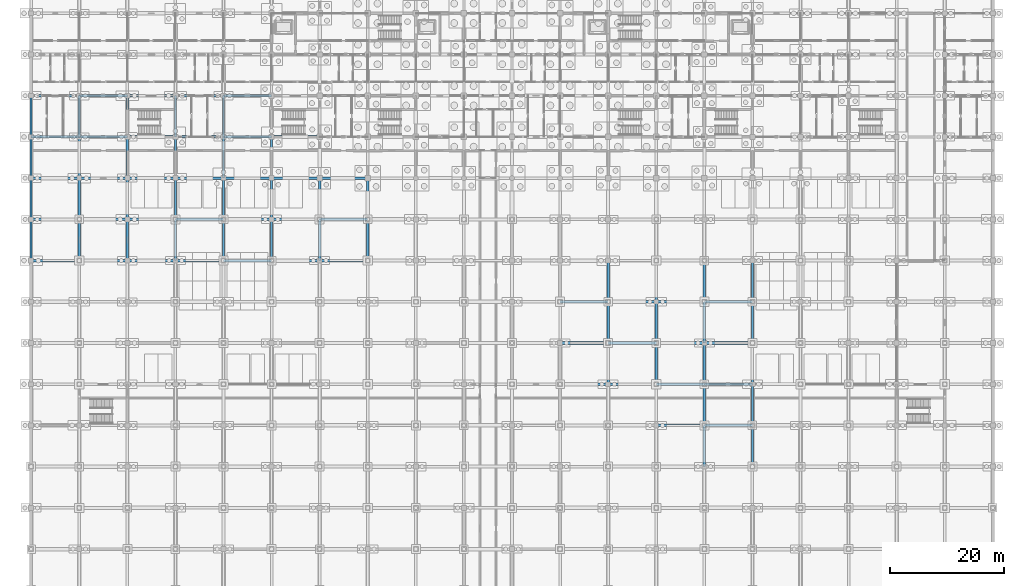
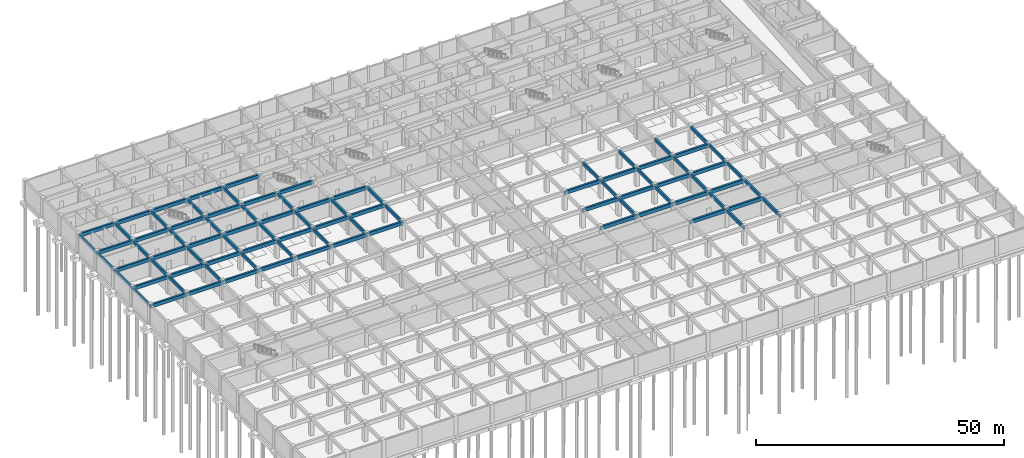
# One storey, part 21 of 85: 89 beams.
"""IFC4 building model written with IfcOpenShell, lengths in metres."""

from ifc_helpers import new_model, si_unit, direction, frame, origin, origin_2d, place, context, subcontext, project, spatial, rectangle, extrude, material, material_profile, profile_set, type_object, element, save


model = new_model("IFC4")

# Units and contexts
model_context = context("Model", 3, precision=1e-05, world=origin(), true_north=direction((0.0, 1.0)))
body_context = subcontext(model_context, "Body", "Model", "MODEL_VIEW")
ifc_project = project(units=[si_unit("LENGTHUNIT", "METRE"), si_unit("AREAUNIT", "SQUARE_METRE"), si_unit("VOLUMEUNIT", "CUBIC_METRE"), si_unit("PLANEANGLEUNIT", "RADIAN"), si_unit("MASSUNIT", "GRAM", prefix="KILO")], contexts=[model_context])

# Site, building, storey
site_placement = place(None, origin())
site = spatial("IfcSite", under=ifc_project, at=site_placement, CompositionType="ELEMENT")
building_placement = place(site_placement, origin())
building = spatial("IfcBuilding", under=site, at=building_placement, Name="Chengyuan Square Courthouse", CompositionType="ELEMENT")
storey_placement = place(building_placement, frame((0.0, 0.0, -10.199951171875)))
storey = spatial("IfcBuildingStorey", under=building, at=storey_placement, Name="B02", CompositionType="ELEMENT", Elevation=-10.199951171875)

# Beams
ifc_material = material(Name="Concrete C40", Category="concrete")
ifc_material_profile_1 = material_profile(ifc_material, rectangle(XDim=0.449951171875, YDim=0.85009765625, at=origin_2d()), Name="RC-BM-450x850")
ifc_profile_set_1 = profile_set([ifc_material_profile_1], Name="Concrete C40")
beam_type_1 = type_object("IfcBeamType", Name="BM-01", PredefinedType="USERDEFINED", material=ifc_profile_set_1)
beam_1_placement = place(storey_placement, frame((109.199951171875, 36.0, 4.054931640625), z_axis=(1.0, 0.0, 0.0), x_axis=(0.0, 1.0, 0.0)))
element("IfcBeam", 1, at=beam_1_placement, inside=storey, type_object=beam_type_1, Name="Girder BM-B02-0114", ObjectType="GIRDER", PredefinedType="USERDEFINED", context=body_context, shape_type="SweptSolid", body=[
    extrude(rectangle(XDim=0.449951171875, YDim=0.85009765625, at=origin_2d()), origin(), (0.0, 0.0, 1.0), 8.400146484375),
])
beam_2_placement = place(storey_placement, frame((117.60009765625, 36.0, 4.054931640625), z_axis=(1.0, 0.0, 0.0), x_axis=(0.0, 1.0, 0.0)))
element("IfcBeam", 2, at=beam_2_placement, inside=storey, type_object=beam_type_1, Name="Girder BM-B02-0115", ObjectType="GIRDER", PredefinedType="USERDEFINED", context=body_context, shape_type="SweptSolid", body=[
    extrude(rectangle(XDim=0.449951171875, YDim=0.85009765625, at=origin_2d()), origin(), (0.0, 0.0, 1.0), 8.39990234375),
])
beam_3_placement = place(storey_placement, frame((92.39990234375, 43.199951171875, 4.054931640625), z_axis=(1.0, 0.0, 0.0), x_axis=(0.0, 1.0, 0.0)))
element("IfcBeam", 3, at=beam_3_placement, inside=storey, type_object=beam_type_1, Name="Girder BM-B02-0132", ObjectType="GIRDER", PredefinedType="USERDEFINED", context=body_context, shape_type="SweptSolid", body=[
    extrude(rectangle(XDim=0.449951171875, YDim=0.85009765625, at=origin_2d()), origin(), (0.0, 0.0, 1.0), 8.400146484375),
])
beam_4_placement = place(storey_placement, frame((100.800048828125, 43.199951171875, 4.054931640625), z_axis=(1.0, 0.0, 0.0), x_axis=(0.0, 1.0, 0.0)))
element("IfcBeam", 4, at=beam_4_placement, inside=storey, type_object=beam_type_1, Name="Girder BM-B02-0133", ObjectType="GIRDER", PredefinedType="USERDEFINED", context=body_context, shape_type="SweptSolid", body=[
    extrude(rectangle(XDim=0.449951171875, YDim=0.85009765625, at=origin_2d()), origin(), (0.0, 0.0, 1.0), 8.39990234375),
])
beam_5_placement = place(storey_placement, frame((109.199951171875, 43.199951171875, 4.054931640625), z_axis=(1.0, 0.0, 0.0), x_axis=(0.0, 1.0, 0.0)))
element("IfcBeam", 5, at=beam_5_placement, inside=storey, type_object=beam_type_1, Name="Girder BM-B02-0134", ObjectType="GIRDER", PredefinedType="USERDEFINED", context=body_context, shape_type="SweptSolid", body=[
    extrude(rectangle(XDim=0.449951171875, YDim=0.85009765625, at=origin_2d()), origin(), (0.0, 0.0, 1.0), 8.400146484375),
])
beam_6_placement = place(storey_placement, frame((117.60009765625, 43.199951171875, 4.054931640625), z_axis=(1.0, 0.0, 0.0), x_axis=(0.0, 1.0, 0.0)))
element("IfcBeam", 6, at=beam_6_placement, inside=storey, type_object=beam_type_1, Name="Girder BM-B02-0135", ObjectType="GIRDER", PredefinedType="USERDEFINED", context=body_context, shape_type="SweptSolid", body=[
    extrude(rectangle(XDim=0.449951171875, YDim=0.85009765625, at=origin_2d()), origin(), (0.0, 0.0, 1.0), 8.39990234375),
])
beam_7_placement = place(storey_placement, frame((92.39990234375, 50.39990234375, 4.054931640625), z_axis=(1.0, 0.0, 0.0), x_axis=(0.0, 1.0, 0.0)))
element("IfcBeam", 7, at=beam_7_placement, inside=storey, type_object=beam_type_1, Name="Girder BM-B02-0152", ObjectType="GIRDER", PredefinedType="USERDEFINED", context=body_context, shape_type="SweptSolid", body=[
    extrude(rectangle(XDim=0.449951171875, YDim=0.85009765625, at=origin_2d()), origin(), (0.0, 0.0, 1.0), 8.400146484375),
])
beam_8_placement = place(storey_placement, frame((100.800048828125, 50.39990234375, 4.054931640625), z_axis=(1.0, 0.0, 0.0), x_axis=(0.0, 1.0, 0.0)))
element("IfcBeam", 8, at=beam_8_placement, inside=storey, type_object=beam_type_1, Name="Girder BM-B02-0153", ObjectType="GIRDER", PredefinedType="USERDEFINED", context=body_context, shape_type="SweptSolid", body=[
    extrude(rectangle(XDim=0.449951171875, YDim=0.85009765625, at=origin_2d()), origin(), (0.0, 0.0, 1.0), 8.39990234375),
])
beam_9_placement = place(storey_placement, frame((109.199951171875, 50.39990234375, 4.054931640625), z_axis=(1.0, 0.0, 0.0), x_axis=(0.0, 1.0, 0.0)))
element("IfcBeam", 9, at=beam_9_placement, inside=storey, type_object=beam_type_1, Name="Girder BM-B02-0154", ObjectType="GIRDER", PredefinedType="USERDEFINED", context=body_context, shape_type="SweptSolid", body=[
    extrude(rectangle(XDim=0.449951171875, YDim=0.85009765625, at=origin_2d()), origin(), (0.0, 0.0, 1.0), 8.400146484375),
])
beam_10_placement = place(storey_placement, frame((117.60009765625, 50.39990234375, 4.054931640625), z_axis=(1.0, 0.0, 0.0), x_axis=(0.0, 1.0, 0.0)))
element("IfcBeam", 10, at=beam_10_placement, inside=storey, type_object=beam_type_1, Name="Girder BM-B02-0155", ObjectType="GIRDER", PredefinedType="USERDEFINED", context=body_context, shape_type="SweptSolid", body=[
    extrude(rectangle(XDim=0.449951171875, YDim=0.85009765625, at=origin_2d()), origin(), (0.0, 0.0, 1.0), 8.39990234375),
])
beam_11_placement = place(storey_placement, frame((92.39990234375, 57.60009765625, 4.054931640625), z_axis=(1.0, 0.0, 0.0), x_axis=(0.0, 1.0, 0.0)))
element("IfcBeam", 11, at=beam_11_placement, inside=storey, type_object=beam_type_1, Name="Girder BM-B02-0172", ObjectType="GIRDER", PredefinedType="USERDEFINED", context=body_context, shape_type="SweptSolid", body=[
    extrude(rectangle(XDim=0.449951171875, YDim=0.85009765625, at=origin_2d()), origin(), (0.0, 0.0, 1.0), 8.400146484375),
])
beam_12_placement = place(storey_placement, frame((100.800048828125, 57.60009765625, 4.054931640625), z_axis=(1.0, 0.0, 0.0), x_axis=(0.0, 1.0, 0.0)))
element("IfcBeam", 12, at=beam_12_placement, inside=storey, type_object=beam_type_1, Name="Girder BM-B02-0173", ObjectType="GIRDER", PredefinedType="USERDEFINED", context=body_context, shape_type="SweptSolid", body=[
    extrude(rectangle(XDim=0.449951171875, YDim=0.85009765625, at=origin_2d()), origin(), (0.0, 0.0, 1.0), 8.39990234375),
])
beam_13_placement = place(storey_placement, frame((109.199951171875, 57.60009765625, 4.054931640625), z_axis=(1.0, 0.0, 0.0), x_axis=(0.0, 1.0, 0.0)))
element("IfcBeam", 13, at=beam_13_placement, inside=storey, type_object=beam_type_1, Name="Girder BM-B02-0174", ObjectType="GIRDER", PredefinedType="USERDEFINED", context=body_context, shape_type="SweptSolid", body=[
    extrude(rectangle(XDim=0.449951171875, YDim=0.85009765625, at=origin_2d()), origin(), (0.0, 0.0, 1.0), 8.400146484375),
])
for number, where, z_axis, x_axis, name in (
    (14, (117.60009765625, 57.60009765625, 4.054931640625), (1.0, 0.0, 0.0), (0.0, 1.0, 0.0), "Girder BM-B02-0175"),
    (15, (0.0, 64.800048828125, 4.054931640625), (1.0, 0.0, 0.0), (0.0, 1.0, 0.0), "Girder BM-B02-0181"),
):
    element("IfcBeam", number, at=place(storey_placement, frame(where, z_axis=z_axis, x_axis=x_axis)), inside=storey, type_object=beam_type_1, Name=name, ObjectType="GIRDER", PredefinedType="USERDEFINED", context=body_context, shape_type="SweptSolid", body=[
        extrude(rectangle(XDim=0.449951171875, YDim=0.85009765625, at=origin_2d()), origin(), (0.0, 0.0, 1.0), 8.39990234375),
    ])
beam_14_placement = place(storey_placement, frame((8.39990234375, 64.800048828125, 4.054931640625), z_axis=(1.0, 0.0, 0.0), x_axis=(0.0, 1.0, 0.0)))
element("IfcBeam", 16, at=beam_14_placement, inside=storey, type_object=beam_type_1, Name="Girder BM-B02-0182", ObjectType="GIRDER", PredefinedType="USERDEFINED", context=body_context, shape_type="SweptSolid", body=[
    extrude(rectangle(XDim=0.449951171875, YDim=0.85009765625, at=origin_2d()), origin(), (0.0, 0.0, 1.0), 8.400146484375),
])
beam_15_placement = place(storey_placement, frame((16.800048828125, 64.800048828125, 4.054931640625), z_axis=(1.0, 0.0, 0.0), x_axis=(0.0, 1.0, 0.0)))
element("IfcBeam", 17, at=beam_15_placement, inside=storey, type_object=beam_type_1, Name="Girder BM-B02-0183", ObjectType="GIRDER", PredefinedType="USERDEFINED", context=body_context, shape_type="SweptSolid", body=[
    extrude(rectangle(XDim=0.449951171875, YDim=0.85009765625, at=origin_2d()), origin(), (0.0, 0.0, 1.0), 8.39990234375),
])
beam_16_placement = place(storey_placement, frame((25.199951171875, 64.800048828125, 4.054931640625), z_axis=(1.0, 0.0, 0.0), x_axis=(0.0, 1.0, 0.0)))
element("IfcBeam", 18, at=beam_16_placement, inside=storey, type_object=beam_type_1, Name="Girder BM-B02-0184", ObjectType="GIRDER", PredefinedType="USERDEFINED", context=body_context, shape_type="SweptSolid", body=[
    extrude(rectangle(XDim=0.449951171875, YDim=0.85009765625, at=origin_2d()), origin(), (0.0, 0.0, 1.0), 8.400146484375),
])
for number, where, z_axis, x_axis, name in (
    (19, (33.60009765625, 64.800048828125, 4.054931640625), (1.0, 0.0, 0.0), (0.0, 1.0, 0.0), "Girder BM-B02-0185"),
    (20, (42.0, 64.800048828125, 4.054931640625), (1.0, 0.0, 0.0), (0.0, 1.0, 0.0), "Girder BM-B02-0186"),
):
    element("IfcBeam", number, at=place(storey_placement, frame(where, z_axis=z_axis, x_axis=x_axis)), inside=storey, type_object=beam_type_1, Name=name, ObjectType="GIRDER", PredefinedType="USERDEFINED", context=body_context, shape_type="SweptSolid", body=[
        extrude(rectangle(XDim=0.449951171875, YDim=0.85009765625, at=origin_2d()), origin(), (0.0, 0.0, 1.0), 8.39990234375),
    ])
beam_17_placement = place(storey_placement, frame((50.39990234375, 64.800048828125, 4.054931640625), z_axis=(1.0, 0.0, 0.0), x_axis=(0.0, 1.0, 0.0)))
element("IfcBeam", 21, at=beam_17_placement, inside=storey, type_object=beam_type_1, Name="Girder BM-B02-0187", ObjectType="GIRDER", PredefinedType="USERDEFINED", context=body_context, shape_type="SweptSolid", body=[
    extrude(rectangle(XDim=0.449951171875, YDim=0.85009765625, at=origin_2d()), origin(), (0.0, 0.0, 1.0), 8.400146484375),
])
beam_18_placement = place(storey_placement, frame((0.0, 72.0, 4.054931640625), z_axis=(1.0, 0.0, 0.0), x_axis=(0.0, 1.0, 0.0)))
element("IfcBeam", 22, at=beam_18_placement, inside=storey, type_object=beam_type_1, Name="Girder BM-B02-0201", ObjectType="GIRDER", PredefinedType="USERDEFINED", context=body_context, shape_type="SweptSolid", body=[
    extrude(rectangle(XDim=0.449951171875, YDim=0.85009765625, at=origin_2d()), origin(), (0.0, 0.0, 1.0), 8.39990234375),
])
beam_19_placement = place(storey_placement, frame((8.39990234375, 72.0, 4.054931640625), z_axis=(1.0, 0.0, 0.0), x_axis=(0.0, 1.0, 0.0)))
element("IfcBeam", 23, at=beam_19_placement, inside=storey, type_object=beam_type_1, Name="Girder BM-B02-0202", ObjectType="GIRDER", PredefinedType="USERDEFINED", context=body_context, shape_type="SweptSolid", body=[
    extrude(rectangle(XDim=0.449951171875, YDim=0.85009765625, at=origin_2d()), origin(), (0.0, 0.0, 1.0), 8.400146484375),
])
beam_20_placement = place(storey_placement, frame((16.800048828125, 72.0, 4.054931640625), z_axis=(1.0, 0.0, 0.0), x_axis=(0.0, 1.0, 0.0)))
element("IfcBeam", 24, at=beam_20_placement, inside=storey, type_object=beam_type_1, Name="Girder BM-B02-0203", ObjectType="GIRDER", PredefinedType="USERDEFINED", context=body_context, shape_type="SweptSolid", body=[
    extrude(rectangle(XDim=0.449951171875, YDim=0.85009765625, at=origin_2d()), origin(), (0.0, 0.0, 1.0), 8.39990234375),
])
beam_21_placement = place(storey_placement, frame((25.199951171875, 72.0, 4.054931640625), z_axis=(1.0, 0.0, 0.0), x_axis=(0.0, 1.0, 0.0)))
element("IfcBeam", 25, at=beam_21_placement, inside=storey, type_object=beam_type_1, Name="Girder BM-B02-0204", ObjectType="GIRDER", PredefinedType="USERDEFINED", context=body_context, shape_type="SweptSolid", body=[
    extrude(rectangle(XDim=0.449951171875, YDim=0.85009765625, at=origin_2d()), origin(), (0.0, 0.0, 1.0), 8.400146484375),
])
for number, where, z_axis, x_axis, name in (
    (26, (33.60009765625, 72.0, 4.054931640625), (1.0, 0.0, 0.0), (0.0, 1.0, 0.0), "Girder BM-B02-0205"),
    (27, (42.0, 72.0, 4.054931640625), (1.0, 0.0, 0.0), (0.0, 1.0, 0.0), "Girder BM-B02-0206"),
):
    element("IfcBeam", number, at=place(storey_placement, frame(where, z_axis=z_axis, x_axis=x_axis)), inside=storey, type_object=beam_type_1, Name=name, ObjectType="GIRDER", PredefinedType="USERDEFINED", context=body_context, shape_type="SweptSolid", body=[
        extrude(rectangle(XDim=0.449951171875, YDim=0.85009765625, at=origin_2d()), origin(), (0.0, 0.0, 1.0), 8.39990234375),
    ])
beam_22_placement = place(storey_placement, frame((50.39990234375, 72.0, 4.054931640625), z_axis=(1.0, 0.0, 0.0), x_axis=(0.0, 1.0, 0.0)))
element("IfcBeam", 28, at=beam_22_placement, inside=storey, type_object=beam_type_1, Name="Girder BM-B02-0207", ObjectType="GIRDER", PredefinedType="USERDEFINED", context=body_context, shape_type="SweptSolid", body=[
    extrude(rectangle(XDim=0.449951171875, YDim=0.85009765625, at=origin_2d()), origin(), (0.0, 0.0, 1.0), 8.400146484375),
])
beam_23_placement = place(storey_placement, frame((0.0, 79.199951171875, 4.054931640625), z_axis=(1.0, 0.0, 0.0), x_axis=(0.0, 1.0, 0.0)))
element("IfcBeam", 29, at=beam_23_placement, inside=storey, type_object=beam_type_1, Name="Girder BM-B02-0220", ObjectType="GIRDER", PredefinedType="USERDEFINED", context=body_context, shape_type="SweptSolid", body=[
    extrude(rectangle(XDim=0.449951171875, YDim=0.85009765625, at=origin_2d()), origin(), (0.0, 0.0, 1.0), 8.39990234375),
])
beam_24_placement = place(storey_placement, frame((8.39990234375, 79.199951171875, 4.054931640625), z_axis=(1.0, 0.0, 0.0), x_axis=(0.0, 1.0, 0.0)))
element("IfcBeam", 30, at=beam_24_placement, inside=storey, type_object=beam_type_1, Name="Girder BM-B02-0221", ObjectType="GIRDER", PredefinedType="USERDEFINED", context=body_context, shape_type="SweptSolid", body=[
    extrude(rectangle(XDim=0.449951171875, YDim=0.85009765625, at=origin_2d()), origin(), (0.0, 0.0, 1.0), 8.400146484375),
])
beam_25_placement = place(storey_placement, frame((16.800048828125, 79.199951171875, 4.054931640625), z_axis=(1.0, 0.0, 0.0), x_axis=(0.0, 1.0, 0.0)))
element("IfcBeam", 31, at=beam_25_placement, inside=storey, type_object=beam_type_1, Name="Girder BM-B02-0222", ObjectType="GIRDER", PredefinedType="USERDEFINED", context=body_context, shape_type="SweptSolid", body=[
    extrude(rectangle(XDim=0.449951171875, YDim=0.85009765625, at=origin_2d()), origin(), (0.0, 0.0, 1.0), 8.39990234375),
])
beam_26_placement = place(storey_placement, frame((25.199951171875, 79.199951171875, 4.054931640625), z_axis=(1.0, 0.0, 0.0), x_axis=(0.0, 1.0, 0.0)))
element("IfcBeam", 32, at=beam_26_placement, inside=storey, type_object=beam_type_1, Name="Girder BM-B02-0223", ObjectType="GIRDER", PredefinedType="USERDEFINED", context=body_context, shape_type="SweptSolid", body=[
    extrude(rectangle(XDim=0.449951171875, YDim=0.85009765625, at=origin_2d()), origin(), (0.0, 0.0, 1.0), 8.400146484375),
])
for number, where, z_axis, x_axis, name in (
    (33, (33.60009765625, 79.199951171875, 4.054931640625), (1.0, 0.0, 0.0), (0.0, 1.0, 0.0), "Girder BM-B02-0224"),
    (34, (42.0, 79.199951171875, 4.054931640625), (1.0, 0.0, 0.0), (0.0, 1.0, 0.0), "Girder BM-B02-0225"),
):
    element("IfcBeam", number, at=place(storey_placement, frame(where, z_axis=z_axis, x_axis=x_axis)), inside=storey, type_object=beam_type_1, Name=name, ObjectType="GIRDER", PredefinedType="USERDEFINED", context=body_context, shape_type="SweptSolid", body=[
        extrude(rectangle(XDim=0.449951171875, YDim=0.85009765625, at=origin_2d()), origin(), (0.0, 0.0, 1.0), 8.39990234375),
    ])
beam_27_placement = place(storey_placement, frame((50.39990234375, 79.199951171875, 4.054931640625), z_axis=(1.0, 0.0, 0.0), x_axis=(0.0, 1.0, 0.0)))
element("IfcBeam", 35, at=beam_27_placement, inside=storey, type_object=beam_type_1, Name="Girder BM-B02-0226", ObjectType="GIRDER", PredefinedType="USERDEFINED", context=body_context, shape_type="SweptSolid", body=[
    extrude(rectangle(XDim=0.449951171875, YDim=0.85009765625, at=origin_2d()), origin(), (0.0, 0.0, 1.0), 8.400146484375),
])
beam_28_placement = place(storey_placement, frame((0.0, 86.39990234375, 4.054931640625), z_axis=(1.0, 0.0, 0.0), x_axis=(0.0, 1.0, 0.0)))
element("IfcBeam", 36, at=beam_28_placement, inside=storey, type_object=beam_type_1, Name="Girder BM-B02-0239", ObjectType="GIRDER", PredefinedType="USERDEFINED", context=body_context, shape_type="SweptSolid", body=[
    extrude(rectangle(XDim=0.449951171875, YDim=0.85009765625, at=origin_2d()), origin(), (0.0, 0.0, 1.0), 8.39990234375),
])
beam_29_placement = place(storey_placement, frame((8.39990234375, 86.39990234375, 4.054931640625), z_axis=(1.0, 0.0, 0.0), x_axis=(0.0, 1.0, 0.0)))
element("IfcBeam", 37, at=beam_29_placement, inside=storey, type_object=beam_type_1, Name="Girder BM-B02-0240", ObjectType="GIRDER", PredefinedType="USERDEFINED", context=body_context, shape_type="SweptSolid", body=[
    extrude(rectangle(XDim=0.449951171875, YDim=0.85009765625, at=origin_2d()), origin(), (0.0, 0.0, 1.0), 8.400146484375),
])
beam_30_placement = place(storey_placement, frame((16.800048828125, 86.39990234375, 4.054931640625), z_axis=(1.0, 0.0, 0.0), x_axis=(0.0, 1.0, 0.0)))
element("IfcBeam", 38, at=beam_30_placement, inside=storey, type_object=beam_type_1, Name="Girder BM-B02-0241", ObjectType="GIRDER", PredefinedType="USERDEFINED", context=body_context, shape_type="SweptSolid", body=[
    extrude(rectangle(XDim=0.449951171875, YDim=0.85009765625, at=origin_2d()), origin(), (0.0, 0.0, 1.0), 8.39990234375),
])
beam_31_placement = place(storey_placement, frame((25.199951171875, 86.39990234375, 4.054931640625), z_axis=(1.0, 0.0, 0.0), x_axis=(0.0, 1.0, 0.0)))
element("IfcBeam", 39, at=beam_31_placement, inside=storey, type_object=beam_type_1, Name="Girder BM-B02-0242", ObjectType="GIRDER", PredefinedType="USERDEFINED", context=body_context, shape_type="SweptSolid", body=[
    extrude(rectangle(XDim=0.449951171875, YDim=0.85009765625, at=origin_2d()), origin(), (0.0, 0.0, 1.0), 8.400146484375),
])
for number, where, z_axis, x_axis, name in (
    (40, (33.60009765625, 86.39990234375, 4.054931640625), (1.0, 0.0, 0.0), (0.0, 1.0, 0.0), "Girder BM-B02-0243"),
    (41, (42.0, 86.39990234375, 4.054931640625), (1.0, 0.0, 0.0), (0.0, 1.0, 0.0), "Girder BM-B02-0244"),
    (42, (0.0, 93.60009765625, 4.054931640625), (1.0, 0.0, 0.0), (0.0, 1.0, 0.0), "Girder BM-B02-0258"),
):
    element("IfcBeam", number, at=place(storey_placement, frame(where, z_axis=z_axis, x_axis=x_axis)), inside=storey, type_object=beam_type_1, Name=name, ObjectType="GIRDER", PredefinedType="USERDEFINED", context=body_context, shape_type="SweptSolid", body=[
        extrude(rectangle(XDim=0.449951171875, YDim=0.85009765625, at=origin_2d()), origin(), (0.0, 0.0, 1.0), 8.39990234375),
    ])
beam_32_placement = place(storey_placement, frame((8.39990234375, 93.60009765625, 4.054931640625), z_axis=(1.0, 0.0, 0.0), x_axis=(0.0, 1.0, 0.0)))
element("IfcBeam", 43, at=beam_32_placement, inside=storey, type_object=beam_type_1, Name="Girder BM-B02-0259", ObjectType="GIRDER", PredefinedType="USERDEFINED", context=body_context, shape_type="SweptSolid", body=[
    extrude(rectangle(XDim=0.449951171875, YDim=0.85009765625, at=origin_2d()), origin(), (0.0, 0.0, 1.0), 8.400146484375),
])
beam_33_placement = place(storey_placement, frame((16.800048828125, 93.60009765625, 4.054931640625), z_axis=(1.0, 0.0, 0.0), x_axis=(0.0, 1.0, 0.0)))
element("IfcBeam", 44, at=beam_33_placement, inside=storey, type_object=beam_type_1, Name="Girder BM-B02-0260", ObjectType="GIRDER", PredefinedType="USERDEFINED", context=body_context, shape_type="SweptSolid", body=[
    extrude(rectangle(XDim=0.449951171875, YDim=0.85009765625, at=origin_2d()), origin(), (0.0, 0.0, 1.0), 8.39990234375),
])
beam_34_placement = place(storey_placement, frame((25.199951171875, 93.60009765625, 4.054931640625), z_axis=(1.0, 0.0, 0.0), x_axis=(0.0, 1.0, 0.0)))
element("IfcBeam", 45, at=beam_34_placement, inside=storey, type_object=beam_type_1, Name="Girder BM-B02-0261", ObjectType="GIRDER", PredefinedType="USERDEFINED", context=body_context, shape_type="SweptSolid", body=[
    extrude(rectangle(XDim=0.449951171875, YDim=0.85009765625, at=origin_2d()), origin(), (0.0, 0.0, 1.0), 8.400146484375),
])
beam_35_placement = place(storey_placement, frame((33.60009765625, 93.60009765625, 4.054931640625), z_axis=(1.0, 0.0, 0.0), x_axis=(0.0, 1.0, 0.0)))
element("IfcBeam", 46, at=beam_35_placement, inside=storey, type_object=beam_type_1, Name="Girder BM-B02-0262", ObjectType="GIRDER", PredefinedType="USERDEFINED", context=body_context, shape_type="SweptSolid", body=[
    extrude(rectangle(XDim=0.449951171875, YDim=0.85009765625, at=origin_2d()), origin(), (0.0, 0.0, 1.0), 8.39990234375),
])
ifc_material_profile_2 = material_profile(ifc_material, rectangle(XDim=0.39990234375, YDim=0.75, at=origin_2d()), Name="RC-BM-400x750")
ifc_profile_set_2 = profile_set([ifc_material_profile_2], Name="Concrete C40")
beam_type_2 = type_object("IfcBeamType", Name="BM-02", PredefinedType="USERDEFINED", material=ifc_profile_set_2)
for number, where, z_axis, x_axis, name in (
    (47, (8.39990234375, 64.800048828125, 4.10498046875), (0.0, 1.0, 0.0), (-1.0, 0.0, 0.0), "Girder BM-B02-0361"),
    (48, (8.39990234375, 72.0, 4.10498046875), (0.0, 1.0, 0.0), (-1.0, 0.0, 0.0), "Girder BM-B02-0362"),
    (49, (8.39990234375, 79.199951171875, 4.10498046875), (0.0, 1.0, 0.0), (-1.0, 0.0, 0.0), "Girder BM-B02-0363"),
):
    element("IfcBeam", number, at=place(storey_placement, frame(where, z_axis=z_axis, x_axis=x_axis)), inside=storey, type_object=beam_type_2, Name=name, ObjectType="GIRDER", PredefinedType="USERDEFINED", context=body_context, shape_type="SweptSolid", body=[
        extrude(rectangle(XDim=0.39990234375, YDim=0.75, at=origin_2d()), origin(), (0.0, 0.0, 1.0), 7.199951171875),
    ])
beam_36_placement = place(storey_placement, frame((8.39990234375, 86.39990234375, 4.10498046875), z_axis=(0.0, 1.0, 0.0), x_axis=(-1.0, 0.0, 0.0)))
element("IfcBeam", 50, at=beam_36_placement, inside=storey, type_object=beam_type_2, Name="Girder BM-B02-0364", ObjectType="GIRDER", PredefinedType="USERDEFINED", context=body_context, shape_type="SweptSolid", body=[
    extrude(rectangle(XDim=0.39990234375, YDim=0.75, at=origin_2d()), origin(), (0.0, 0.0, 1.0), 7.2001953125),
])
for number, where, z_axis, x_axis, name in (
    (51, (16.800048828125, 64.800048828125, 4.10498046875), (0.0, 1.0, 0.0), (-1.0, 0.0, 0.0), "Girder BM-B02-0377"),
    (52, (16.800048828125, 72.0, 4.10498046875), (0.0, 1.0, 0.0), (-1.0, 0.0, 0.0), "Girder BM-B02-0378"),
    (53, (16.800048828125, 79.199951171875, 4.10498046875), (0.0, 1.0, 0.0), (-1.0, 0.0, 0.0), "Girder BM-B02-0379"),
):
    element("IfcBeam", number, at=place(storey_placement, frame(where, z_axis=z_axis, x_axis=x_axis)), inside=storey, type_object=beam_type_2, Name=name, ObjectType="GIRDER", PredefinedType="USERDEFINED", context=body_context, shape_type="SweptSolid", body=[
        extrude(rectangle(XDim=0.39990234375, YDim=0.75, at=origin_2d()), origin(), (0.0, 0.0, 1.0), 7.199951171875),
    ])
beam_37_placement = place(storey_placement, frame((16.800048828125, 86.39990234375, 4.10498046875), z_axis=(0.0, 1.0, 0.0), x_axis=(-1.0, 0.0, 0.0)))
element("IfcBeam", 54, at=beam_37_placement, inside=storey, type_object=beam_type_2, Name="Girder BM-B02-0380", ObjectType="GIRDER", PredefinedType="USERDEFINED", context=body_context, shape_type="SweptSolid", body=[
    extrude(rectangle(XDim=0.39990234375, YDim=0.75, at=origin_2d()), origin(), (0.0, 0.0, 1.0), 7.2001953125),
])
for number, where, z_axis, x_axis, name in (
    (55, (25.199951171875, 64.800048828125, 4.10498046875), (0.0, 1.0, 0.0), (-1.0, 0.0, 0.0), "Girder BM-B02-0393"),
    (56, (25.199951171875, 72.0, 4.10498046875), (0.0, 1.0, 0.0), (-1.0, 0.0, 0.0), "Girder BM-B02-0394"),
    (57, (25.199951171875, 79.199951171875, 4.10498046875), (0.0, 1.0, 0.0), (-1.0, 0.0, 0.0), "Girder BM-B02-0395"),
):
    element("IfcBeam", number, at=place(storey_placement, frame(where, z_axis=z_axis, x_axis=x_axis)), inside=storey, type_object=beam_type_2, Name=name, ObjectType="GIRDER", PredefinedType="USERDEFINED", context=body_context, shape_type="SweptSolid", body=[
        extrude(rectangle(XDim=0.39990234375, YDim=0.75, at=origin_2d()), origin(), (0.0, 0.0, 1.0), 7.199951171875),
    ])
beam_38_placement = place(storey_placement, frame((25.199951171875, 86.39990234375, 4.10498046875), z_axis=(0.0, 1.0, 0.0), x_axis=(-1.0, 0.0, 0.0)))
element("IfcBeam", 58, at=beam_38_placement, inside=storey, type_object=beam_type_2, Name="Girder BM-B02-0396", ObjectType="GIRDER", PredefinedType="USERDEFINED", context=body_context, shape_type="SweptSolid", body=[
    extrude(rectangle(XDim=0.39990234375, YDim=0.75, at=origin_2d()), origin(), (0.0, 0.0, 1.0), 7.2001953125),
])
for number, where, z_axis, x_axis, name in (
    (59, (33.60009765625, 64.800048828125, 4.10498046875), (0.0, 1.0, 0.0), (-1.0, 0.0, 0.0), "Girder BM-B02-0409"),
    (60, (33.60009765625, 72.0, 4.10498046875), (0.0, 1.0, 0.0), (-1.0, 0.0, 0.0), "Girder BM-B02-0410"),
    (61, (33.60009765625, 79.199951171875, 4.10498046875), (0.0, 1.0, 0.0), (-1.0, 0.0, 0.0), "Girder BM-B02-0411"),
):
    element("IfcBeam", number, at=place(storey_placement, frame(where, z_axis=z_axis, x_axis=x_axis)), inside=storey, type_object=beam_type_2, Name=name, ObjectType="GIRDER", PredefinedType="USERDEFINED", context=body_context, shape_type="SweptSolid", body=[
        extrude(rectangle(XDim=0.39990234375, YDim=0.75, at=origin_2d()), origin(), (0.0, 0.0, 1.0), 7.199951171875),
    ])
beam_39_placement = place(storey_placement, frame((33.60009765625, 86.39990234375, 4.10498046875), z_axis=(0.0, 1.0, 0.0), x_axis=(-1.0, 0.0, 0.0)))
element("IfcBeam", 62, at=beam_39_placement, inside=storey, type_object=beam_type_2, Name="Girder BM-B02-0412", ObjectType="GIRDER", PredefinedType="USERDEFINED", context=body_context, shape_type="SweptSolid", body=[
    extrude(rectangle(XDim=0.39990234375, YDim=0.75, at=origin_2d()), origin(), (0.0, 0.0, 1.0), 7.2001953125),
])
for number, where, z_axis, x_axis, name in (
    (63, (42.0, 64.800048828125, 4.10498046875), (0.0, 1.0, 0.0), (-1.0, 0.0, 0.0), "Girder BM-B02-0425"),
    (64, (42.0, 72.0, 4.10498046875), (0.0, 1.0, 0.0), (-1.0, 0.0, 0.0), "Girder BM-B02-0426"),
    (65, (42.0, 79.199951171875, 4.10498046875), (0.0, 1.0, 0.0), (-1.0, 0.0, 0.0), "Girder BM-B02-0427"),
    (66, (50.39990234375, 64.800048828125, 4.10498046875), (0.0, 1.0, 0.0), (-1.0, 0.0, 0.0), "Girder BM-B02-0441"),
    (67, (50.39990234375, 72.0, 4.10498046875), (0.0, 1.0, 0.0), (-1.0, 0.0, 0.0), "Girder BM-B02-0442"),
    (68, (58.800048828125, 64.800048828125, 4.10498046875), (0.0, 1.0, 0.0), (-1.0, 0.0, 0.0), "Girder BM-B02-0457"),
    (69, (58.800048828125, 72.0, 4.10498046875), (0.0, 1.0, 0.0), (-1.0, 0.0, 0.0), "Girder BM-B02-0458"),
    (70, (100.800048828125, 43.199951171875, 4.10498046875), (0.0, 1.0, 0.0), (-1.0, 0.0, 0.0), "Girder BM-B02-0534"),
):
    element("IfcBeam", number, at=place(storey_placement, frame(where, z_axis=z_axis, x_axis=x_axis)), inside=storey, type_object=beam_type_2, Name=name, ObjectType="GIRDER", PredefinedType="USERDEFINED", context=body_context, shape_type="SweptSolid", body=[
        extrude(rectangle(XDim=0.39990234375, YDim=0.75, at=origin_2d()), origin(), (0.0, 0.0, 1.0), 7.199951171875),
    ])
beam_40_placement = place(storey_placement, frame((100.800048828125, 50.39990234375, 4.10498046875), z_axis=(0.0, 1.0, 0.0), x_axis=(-1.0, 0.0, 0.0)))
element("IfcBeam", 71, at=beam_40_placement, inside=storey, type_object=beam_type_2, Name="Girder BM-B02-0535", ObjectType="GIRDER", PredefinedType="USERDEFINED", context=body_context, shape_type="SweptSolid", body=[
    extrude(rectangle(XDim=0.39990234375, YDim=0.75, at=origin_2d()), origin(), (0.0, 0.0, 1.0), 7.2001953125),
])
for number, where, z_axis, x_axis, name in (
    (72, (100.800048828125, 57.60009765625, 4.10498046875), (0.0, 1.0, 0.0), (-1.0, 0.0, 0.0), "Girder BM-B02-0536"),
    (73, (109.199951171875, 43.199951171875, 4.10498046875), (0.0, 1.0, 0.0), (-1.0, 0.0, 0.0), "Girder BM-B02-0550"),
):
    element("IfcBeam", number, at=place(storey_placement, frame(where, z_axis=z_axis, x_axis=x_axis)), inside=storey, type_object=beam_type_2, Name=name, ObjectType="GIRDER", PredefinedType="USERDEFINED", context=body_context, shape_type="SweptSolid", body=[
        extrude(rectangle(XDim=0.39990234375, YDim=0.75, at=origin_2d()), origin(), (0.0, 0.0, 1.0), 7.199951171875),
    ])
beam_41_placement = place(storey_placement, frame((109.199951171875, 50.39990234375, 4.10498046875), z_axis=(0.0, 1.0, 0.0), x_axis=(-1.0, 0.0, 0.0)))
element("IfcBeam", 74, at=beam_41_placement, inside=storey, type_object=beam_type_2, Name="Girder BM-B02-0551", ObjectType="GIRDER", PredefinedType="USERDEFINED", context=body_context, shape_type="SweptSolid", body=[
    extrude(rectangle(XDim=0.39990234375, YDim=0.75, at=origin_2d()), origin(), (0.0, 0.0, 1.0), 7.2001953125),
])
for number, where, z_axis, x_axis, name in (
    (75, (109.199951171875, 57.60009765625, 4.10498046875), (0.0, 1.0, 0.0), (-1.0, 0.0, 0.0), "Girder BM-B02-0552"),
    (76, (117.60009765625, 28.800048828125, 4.10498046875), (0.0, 1.0, 0.0), (-1.0, 0.0, 0.0), "Girder BM-B02-0564"),
    (77, (117.60009765625, 36.0, 4.10498046875), (0.0, 1.0, 0.0), (-1.0, 0.0, 0.0), "Girder BM-B02-0565"),
    (78, (117.60009765625, 43.199951171875, 4.10498046875), (0.0, 1.0, 0.0), (-1.0, 0.0, 0.0), "Girder BM-B02-0566"),
):
    element("IfcBeam", number, at=place(storey_placement, frame(where, z_axis=z_axis, x_axis=x_axis)), inside=storey, type_object=beam_type_2, Name=name, ObjectType="GIRDER", PredefinedType="USERDEFINED", context=body_context, shape_type="SweptSolid", body=[
        extrude(rectangle(XDim=0.39990234375, YDim=0.75, at=origin_2d()), origin(), (0.0, 0.0, 1.0), 7.199951171875),
    ])
beam_42_placement = place(storey_placement, frame((117.60009765625, 50.39990234375, 4.10498046875), z_axis=(0.0, 1.0, 0.0), x_axis=(-1.0, 0.0, 0.0)))
element("IfcBeam", 79, at=beam_42_placement, inside=storey, type_object=beam_type_2, Name="Girder BM-B02-0567", ObjectType="GIRDER", PredefinedType="USERDEFINED", context=body_context, shape_type="SweptSolid", body=[
    extrude(rectangle(XDim=0.39990234375, YDim=0.75, at=origin_2d()), origin(), (0.0, 0.0, 1.0), 7.2001953125),
])
for number, where, z_axis, x_axis, name in (
    (80, (117.60009765625, 57.60009765625, 4.10498046875), (0.0, 1.0, 0.0), (-1.0, 0.0, 0.0), "Girder BM-B02-0568"),
    (81, (126.0, 28.800048828125, 4.10498046875), (0.0, 1.0, 0.0), (-1.0, 0.0, 0.0), "Girder BM-B02-0580"),
    (82, (126.0, 36.0, 4.10498046875), (0.0, 1.0, 0.0), (-1.0, 0.0, 0.0), "Girder BM-B02-0581"),
    (83, (126.0, 43.199951171875, 4.10498046875), (0.0, 1.0, 0.0), (-1.0, 0.0, 0.0), "Girder BM-B02-0582"),
):
    element("IfcBeam", number, at=place(storey_placement, frame(where, z_axis=z_axis, x_axis=x_axis)), inside=storey, type_object=beam_type_2, Name=name, ObjectType="GIRDER", PredefinedType="USERDEFINED", context=body_context, shape_type="SweptSolid", body=[
        extrude(rectangle(XDim=0.39990234375, YDim=0.75, at=origin_2d()), origin(), (0.0, 0.0, 1.0), 7.199951171875),
    ])
beam_43_placement = place(storey_placement, frame((126.0, 50.39990234375, 4.10498046875), z_axis=(0.0, 1.0, 0.0), x_axis=(-1.0, 0.0, 0.0)))
element("IfcBeam", 84, at=beam_43_placement, inside=storey, type_object=beam_type_2, Name="Girder BM-B02-0583", ObjectType="GIRDER", PredefinedType="USERDEFINED", context=body_context, shape_type="SweptSolid", body=[
    extrude(rectangle(XDim=0.39990234375, YDim=0.75, at=origin_2d()), origin(), (0.0, 0.0, 1.0), 7.2001953125),
])
beam_44_placement = place(storey_placement, frame((126.0, 57.60009765625, 4.10498046875), z_axis=(0.0, 1.0, 0.0), x_axis=(-1.0, 0.0, 0.0)))
element("IfcBeam", 85, at=beam_44_placement, inside=storey, type_object=beam_type_2, Name="Girder BM-B02-0584", ObjectType="GIRDER", PredefinedType="USERDEFINED", context=body_context, shape_type="SweptSolid", body=[
    extrude(rectangle(XDim=0.39990234375, YDim=0.75, at=origin_2d()), origin(), (0.0, 0.0, 1.0), 7.199951171875),
])
ifc_material_profile_3 = material_profile(ifc_material, rectangle(XDim=0.35009765625, YDim=0.64990234375, at=origin_2d()), Name="RC-BM-350x650")
ifc_profile_set_3 = profile_set([ifc_material_profile_3], Name="Concrete C40")
beam_type_3 = type_object("IfcBeamType", Name="BM-03", PredefinedType="SPANDREL", material=ifc_profile_set_3)
for number, where, z_axis, x_axis, name in (
    (86, (0.0, 64.800048828125, 4.155029296875), (0.0, 1.0, 0.0), (-1.0, 0.0, 0.0), "Girder BM-B02-0345"),
    (87, (0.0, 72.0, 4.155029296875), (0.0, 1.0, 0.0), (-1.0, 0.0, 0.0), "Girder BM-B02-0346"),
    (88, (0.0, 79.199951171875, 4.155029296875), (0.0, 1.0, 0.0), (-1.0, 0.0, 0.0), "Girder BM-B02-0347"),
):
    element("IfcBeam", number, at=place(storey_placement, frame(where, z_axis=z_axis, x_axis=x_axis)), inside=storey, type_object=beam_type_3, Name=name, PredefinedType="SPANDREL", context=body_context, shape_type="SweptSolid", body=[
        extrude(rectangle(XDim=0.35009765625, YDim=0.64990234375, at=origin_2d()), origin(), (0.0, 0.0, 1.0), 7.199951171875),
    ])
beam_45_placement = place(storey_placement, frame((0.0, 86.39990234375, 4.155029296875), z_axis=(0.0, 1.0, 0.0), x_axis=(-1.0, 0.0, 0.0)))
element("IfcBeam", 89, at=beam_45_placement, inside=storey, type_object=beam_type_3, Name="Girder BM-B02-0348", PredefinedType="SPANDREL", context=body_context, shape_type="SweptSolid", body=[
    extrude(rectangle(XDim=0.35009765625, YDim=0.64990234375, at=origin_2d()), origin(), (0.0, 0.0, 1.0), 7.2001953125),
])

save(model, "model.ifc")
